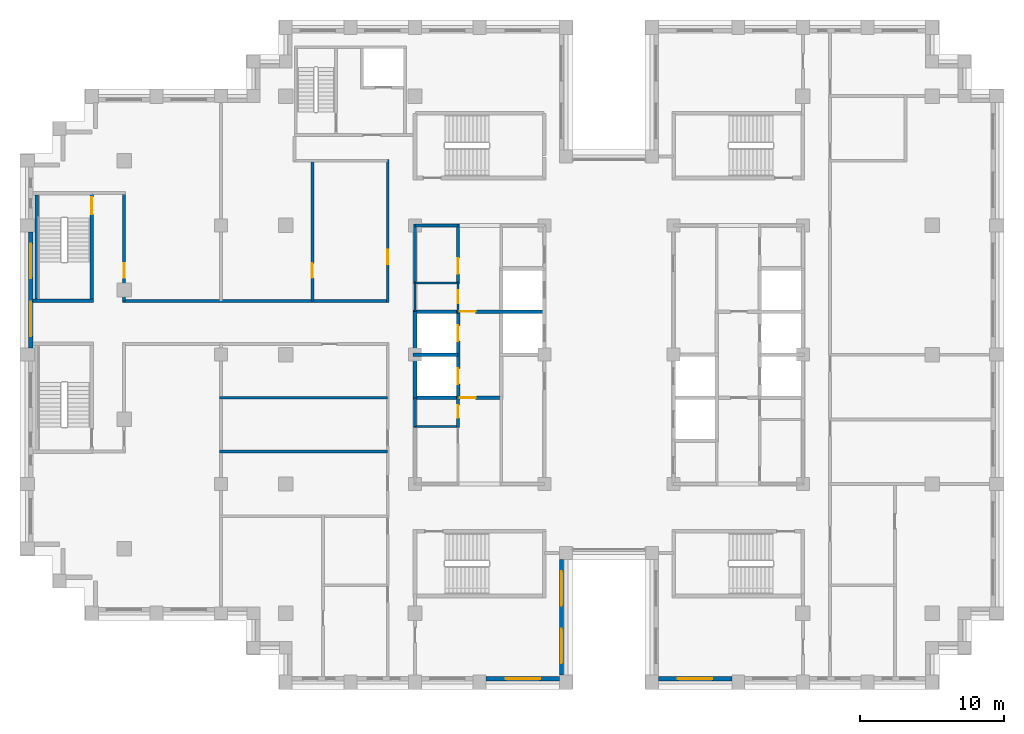
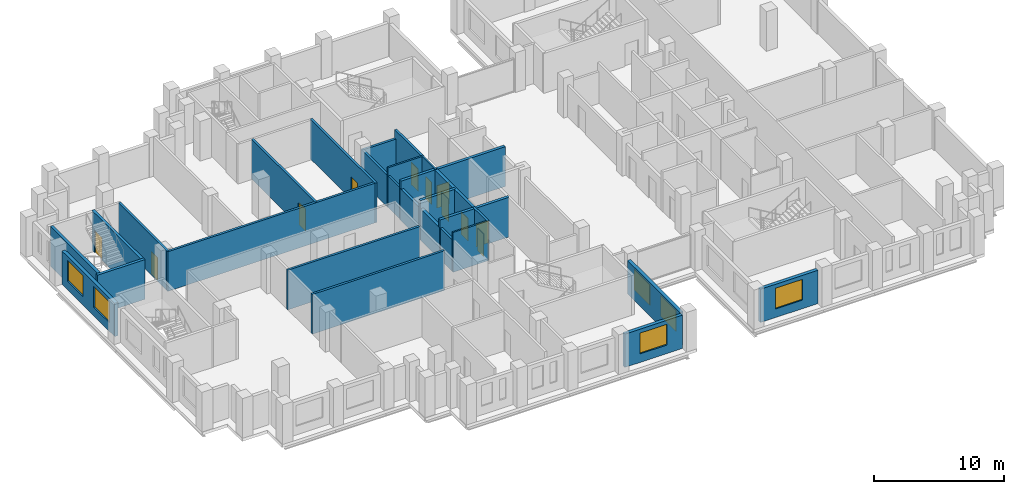
# One storey, part 7 of 15: 27 walls, 11 doors, 6 windows, 17 openings.
"""IFC4 building model written with IfcOpenShell, lengths in metres."""

from ifc_helpers import new_model, si_unit, direction, frame, frame_2d, origin, place, context, subcontext, project, spatial, rectangle, extrude, material, layer, layer_set, type_object, element, fill, save


model = new_model("IFC4")

# Units and contexts
model_context = context("Model", 3, precision=1e-05, world=origin(), true_north=direction((0.0, 1.0)))
body_context = subcontext(model_context, "Body", "Model", "MODEL_VIEW")
ifc_project = project(units=[si_unit("LENGTHUNIT", "METRE"), si_unit("AREAUNIT", "SQUARE_METRE"), si_unit("VOLUMEUNIT", "CUBIC_METRE"), si_unit("PLANEANGLEUNIT", "RADIAN"), si_unit("MASSUNIT", "GRAM", prefix="KILO")], contexts=[model_context])

# Site, building, storey
site_placement = place(None, origin())
site = spatial("IfcSite", under=ifc_project, at=site_placement, CompositionType="ELEMENT")
building_placement = place(site_placement, origin())
building = spatial("IfcBuilding", under=site, at=building_placement, Name="Corbelhall Arena Tower", CompositionType="ELEMENT")
storey_placement = place(building_placement, frame((0.0, 0.0, 216.0)))
storey = spatial("IfcBuildingStorey", under=building, at=storey_placement, Name="L45", CompositionType="ELEMENT", Elevation=216.0)

# Wall, openings, windows
ifc_material_1 = material(Name="Precast concrete C40/50 with granite facing", Category="masonry")
ifc_layer_1 = layer(ifc_material_1, 0.300048828125)
ifc_layer_set_1 = layer_set([ifc_layer_1], Name="EV-IW1 Infill panel 300")
wall_type_1 = type_object("IfcWallType", Name="EV-IW1 Infill panel 300", PredefinedType="SOLIDWALL", material=ifc_layer_set_1)
wall_1_placement = place(storey_placement, frame((-40.25, 8.550048828125, 0.0), z_axis=(0.0, 0.0, 1.0), x_axis=(0.0, -1.0, 0.0)))
wall_1 = element("IfcWall", 1, at=wall_1_placement, inside=storey, type_object=wall_type_1, Name="Infill panel IW1", PredefinedType="SOLIDWALL", context=body_context, shape_type="SweptSolid", body=[
    extrude(rectangle(XDim=8.10009765625, YDim=0.300048828125, at=frame_2d((4.050048828125, 0.0))), origin(), (0.0, 0.0, 1.0), 3.1201171875),
])
opening_1_placement = place(wall_1_placement, frame((0.824951171875, 0.0, 0.800048828125)))
opening_1 = element("IfcOpeningElement", 2, at=opening_1_placement, cuts=wall_1, Name="Opening WN1", PredefinedType="OPENING", context=body_context, shape_type="SweptSolid", body=[
    extrude(rectangle(XDim=2.39990234375, YDim=1.949951171875, at=frame_2d((1.199951171875, 0.97509765625))), frame((0.0, 0.14990234375, 0.0), z_axis=(0.0, -1.0, 0.0), x_axis=(1.0, 0.0, 0.0)), (0.0, 0.0, 1.0), 0.300048828125),
])
opening_2_placement = place(wall_1_placement, frame((4.875, 0.0, 0.800048828125)))
opening_2 = element("IfcOpeningElement", 3, at=opening_2_placement, cuts=wall_1, Name="Opening WN1", PredefinedType="OPENING", context=body_context, shape_type="SweptSolid", body=[
    extrude(rectangle(XDim=2.39990234375, YDim=1.949951171875, at=frame_2d((1.199951171875, 0.97509765625))), frame((0.0, 0.14990234375, 0.0), z_axis=(0.0, -1.0, 0.0), x_axis=(1.0, 0.0, 0.0)), (0.0, 0.0, 1.0), 0.300048828125),
])
ifc_material_2 = material(Name="Aluminium black anodised", Category="aluminium")
window_type = type_object("IfcWindowType", Name="EV-WN1 Office window", PartitioningType="SINGLE_PANEL", PredefinedType="WINDOW", material=ifc_material_2)
window_1_placement = place(opening_1_placement, origin())
window_1 = element("IfcWindow", 4, at=window_1_placement, inside=storey, type_object=window_type, Name="Window WN1", OverallHeight=1.949951171875, OverallWidth=2.39990234375, PartitioningType="SINGLE_PANEL", PredefinedType="WINDOW", context=body_context, shape_type="SweptSolid", body=[
    extrude(rectangle(XDim=2.39990234375, YDim=1.949951171875, at=frame_2d((1.199951171875, 0.97509765625))), frame((0.0, 0.030029296875, 0.0), z_axis=(0.0, -1.0, 0.0), x_axis=(1.0, 0.0, 0.0)), (0.0, 0.0, 1.0), 0.06005859375),
])
fill(opening_1, window_1)
window_2_placement = place(opening_2_placement, origin())
window_2 = element("IfcWindow", 5, at=window_2_placement, inside=storey, type_object=window_type, Name="Window WN1", OverallHeight=1.949951171875, OverallWidth=2.39990234375, PartitioningType="SINGLE_PANEL", PredefinedType="WINDOW", context=body_context, shape_type="SweptSolid", body=[
    extrude(rectangle(XDim=2.39990234375, YDim=1.949951171875, at=frame_2d((1.199951171875, 0.97509765625))), frame((0.0, 0.030029296875, 0.0), z_axis=(0.0, -1.0, 0.0), x_axis=(1.0, 0.0, 0.0)), (0.0, 0.0, 1.0), 0.06005859375),
])
fill(opening_2, window_2)

# Wall, opening, window
wall_2_placement = place(storey_placement, frame((-8.550048828125, -22.550048828125, 0.0), z_axis=(0.0, 0.0, 1.0), x_axis=(1.0, 0.0, 0.0)))
wall_2 = element("IfcWall", 6, at=wall_2_placement, inside=storey, type_object=wall_type_1, Name="Infill panel IW1", PredefinedType="SOLIDWALL", context=body_context, shape_type="SweptSolid", body=[
    extrude(rectangle(XDim=5.10009765625, YDim=0.300048828125, at=frame_2d((2.550048828125, 0.0))), origin(), (0.0, 0.0, 1.0), 3.1201171875),
])
opening_3_placement = place(wall_2_placement, frame((1.35009765625, 0.0, 0.800048828125)))
opening_3 = element("IfcOpeningElement", 7, at=opening_3_placement, cuts=wall_2, Name="Opening WN1", PredefinedType="OPENING", context=body_context, shape_type="SweptSolid", body=[
    extrude(rectangle(XDim=2.39990234375, YDim=1.949951171875, at=frame_2d((1.199951171875, 0.97509765625))), frame((0.0, 0.14990234375, 0.0), z_axis=(0.0, -1.0, 0.0), x_axis=(1.0, 0.0, 0.0)), (0.0, 0.0, 1.0), 0.300048828125),
])
window_3_placement = place(opening_3_placement, origin())
window_3 = element("IfcWindow", 8, at=window_3_placement, inside=storey, type_object=window_type, Name="Window WN1", OverallHeight=1.949951171875, OverallWidth=2.39990234375, PartitioningType="SINGLE_PANEL", PredefinedType="WINDOW", context=body_context, shape_type="SweptSolid", body=[
    extrude(rectangle(XDim=2.39990234375, YDim=1.949951171875, at=frame_2d((1.199951171875, 0.97509765625))), frame((0.0, 0.030029296875, 0.0), z_axis=(0.0, -1.0, 0.0), x_axis=(1.0, 0.0, 0.0)), (0.0, 0.0, 1.0), 0.06005859375),
])
fill(opening_3, window_3)

# Wall, openings, windows
wall_3_placement = place(storey_placement, frame((-3.300048828125, -22.300048828125, 0.0), z_axis=(0.0, 0.0, 1.0), x_axis=(0.0, 1.0, 0.0)))
wall_3 = element("IfcWall", 9, at=wall_3_placement, inside=storey, type_object=wall_type_1, Name="Infill panel IW1", PredefinedType="SOLIDWALL", context=body_context, shape_type="SweptSolid", body=[
    extrude(rectangle(XDim=8.050048828125, YDim=0.300048828125, at=frame_2d((4.02490234375, 0.0))), origin(), (0.0, 0.0, 1.0), 3.1201171875),
])
opening_4_placement = place(wall_3_placement, frame((0.8125, 0.0, 0.800048828125)))
opening_4 = element("IfcOpeningElement", 10, at=opening_4_placement, cuts=wall_3, Name="Opening WN1", PredefinedType="OPENING", context=body_context, shape_type="SweptSolid", body=[
    extrude(rectangle(XDim=2.39990234375, YDim=1.949951171875, at=frame_2d((1.199951171875, 0.97509765625))), frame((0.0, 0.14990234375, 0.0), z_axis=(0.0, -1.0, 0.0), x_axis=(1.0, 0.0, 0.0)), (0.0, 0.0, 1.0), 0.300048828125),
])
opening_5_placement = place(wall_3_placement, frame((4.83740234375, 0.0, 0.800048828125)))
opening_5 = element("IfcOpeningElement", 11, at=opening_5_placement, cuts=wall_3, Name="Opening WN1", PredefinedType="OPENING", context=body_context, shape_type="SweptSolid", body=[
    extrude(rectangle(XDim=2.39990234375, YDim=1.949951171875, at=frame_2d((1.199951171875, 0.97509765625))), frame((0.0, 0.14990234375, 0.0), z_axis=(0.0, -1.0, 0.0), x_axis=(1.0, 0.0, 0.0)), (0.0, 0.0, 1.0), 0.300048828125),
])
window_4_placement = place(opening_4_placement, origin())
window_4 = element("IfcWindow", 12, at=window_4_placement, inside=storey, type_object=window_type, Name="Window WN1", OverallHeight=1.949951171875, OverallWidth=2.39990234375, PartitioningType="SINGLE_PANEL", PredefinedType="WINDOW", context=body_context, shape_type="SweptSolid", body=[
    extrude(rectangle(XDim=2.39990234375, YDim=1.949951171875, at=frame_2d((1.199951171875, 0.97509765625))), frame((0.0, 0.030029296875, 0.0), z_axis=(0.0, -1.0, 0.0), x_axis=(1.0, 0.0, 0.0)), (0.0, 0.0, 1.0), 0.06005859375),
])
fill(opening_4, window_4)
window_5_placement = place(opening_5_placement, origin())
window_5 = element("IfcWindow", 13, at=window_5_placement, inside=storey, type_object=window_type, Name="Window WN1", OverallHeight=1.949951171875, OverallWidth=2.39990234375, PartitioningType="SINGLE_PANEL", PredefinedType="WINDOW", context=body_context, shape_type="SweptSolid", body=[
    extrude(rectangle(XDim=2.39990234375, YDim=1.949951171875, at=frame_2d((1.199951171875, 0.97509765625))), frame((0.0, 0.030029296875, 0.0), z_axis=(0.0, -1.0, 0.0), x_axis=(1.0, 0.0, 0.0)), (0.0, 0.0, 1.0), 0.06005859375),
])
fill(opening_5, window_5)

# Wall, opening, window
wall_4_placement = place(storey_placement, frame((3.449951171875, -22.550048828125, 0.0), z_axis=(0.0, 0.0, 1.0), x_axis=(1.0, 0.0, 0.0)))
wall_4 = element("IfcWall", 14, at=wall_4_placement, inside=storey, type_object=wall_type_1, Name="Infill panel IW1", PredefinedType="SOLIDWALL", context=body_context, shape_type="SweptSolid", body=[
    extrude(rectangle(XDim=5.10009765625, YDim=0.300048828125, at=frame_2d((2.550048828125, 0.0))), origin(), (0.0, 0.0, 1.0), 3.1201171875),
])
opening_6_placement = place(wall_4_placement, frame((1.35009765625, 0.0, 0.800048828125)))
opening_6 = element("IfcOpeningElement", 15, at=opening_6_placement, cuts=wall_4, Name="Opening WN1", PredefinedType="OPENING", context=body_context, shape_type="SweptSolid", body=[
    extrude(rectangle(XDim=2.39990234375, YDim=1.949951171875, at=frame_2d((1.199951171875, 0.97509765625))), frame((0.0, 0.14990234375, 0.0), z_axis=(0.0, -1.0, 0.0), x_axis=(1.0, 0.0, 0.0)), (0.0, 0.0, 1.0), 0.300048828125),
])
window_6_placement = place(opening_6_placement, origin())
window_6 = element("IfcWindow", 16, at=window_6_placement, inside=storey, type_object=window_type, Name="Window WN1", OverallHeight=1.949951171875, OverallWidth=2.39990234375, PartitioningType="SINGLE_PANEL", PredefinedType="WINDOW", context=body_context, shape_type="SweptSolid", body=[
    extrude(rectangle(XDim=2.39990234375, YDim=1.949951171875, at=frame_2d((1.199951171875, 0.97509765625))), frame((0.0, 0.030029296875, 0.0), z_axis=(0.0, -1.0, 0.0), x_axis=(1.0, 0.0, 0.0)), (0.0, 0.0, 1.0), 0.06005859375),
])
fill(opening_6, window_6)

# Wall
ifc_material_3 = material(Name="Gypsum board on steel stud, acoustic", Category="steel")
ifc_layer_2 = layer(ifc_material_3, 0.199951171875)
ifc_layer_set_2 = layer_set([ifc_layer_2], Name="IN-W-DM200")
wall_type_2 = type_object("IfcWallType", Name="IN-W-DM200", PredefinedType="PARTITIONING", material=ifc_layer_set_2)
wall_5_placement = place(storey_placement, frame((-33.85009765625, 3.75, 0.0), z_axis=(0.0, 0.0, 1.0), x_axis=(1.0, 0.0, 0.0)))
element("IfcWall", 17, at=wall_5_placement, inside=storey, type_object=wall_type_2, Name="Partition 002", PredefinedType="PARTITIONING", context=body_context, shape_type="SweptSolid", body=[
    extrude(rectangle(XDim=18.4501953125, YDim=0.199951171875, at=frame_2d((9.22509765625, 0.0))), origin(), (0.0, 0.0, 1.0), 3.719970703125),
])

# Wall, opening, door
wall_6_placement = place(storey_placement, frame((-33.75, 11.25, 0.0), z_axis=(0.0, 0.0, 1.0), x_axis=(0.0, -1.0, 0.0)))
wall_6 = element("IfcWall", 18, at=wall_6_placement, inside=storey, type_object=wall_type_2, Name="Partition 005", PredefinedType="PARTITIONING", context=body_context, shape_type="SweptSolid", body=[
    extrude(rectangle(XDim=7.5, YDim=0.199951171875, at=frame_2d((3.75, 0.0))), origin(), (0.0, 0.0, 1.0), 3.719970703125),
])
opening_7_placement = place(wall_6_placement, frame((4.89990234375, 0.0, 0.0)))
opening_7 = element("IfcOpeningElement", 19, at=opening_7_placement, cuts=wall_6, Name="Opening 13040", PredefinedType="OPENING", context=body_context, shape_type="SweptSolid", body=[
    extrude(rectangle(XDim=1.0, YDim=2.10009765625, at=frame_2d((0.5, 1.050048828125))), frame((0.0, 0.10009765625, 0.0), z_axis=(0.0, -1.0, 0.0), x_axis=(1.0, 0.0, 0.0)), (0.0, 0.0, 1.0), 0.199951171875),
])
ifc_material_4 = material(Name="Steel door set", Category="steel")
door_type_1 = type_object("IfcDoorType", Name="IN-D-SW100", OperationType="NOTDEFINED", PredefinedType="DOOR", material=ifc_material_4)
door_1_placement = place(opening_7_placement, origin())
door_1 = element("IfcDoor", 20, at=door_1_placement, inside=storey, type_object=door_type_1, Name="Door 040", OperationType="SINGLE_SWING_LEFT", OverallHeight=2.10009765625, OverallWidth=1.0, PredefinedType="DOOR", context=body_context, shape_type="SweptSolid", body=[
    extrude(rectangle(XDim=1.0, YDim=2.10009765625, at=frame_2d((0.5, 1.050048828125))), frame((0.0, 0.02490234375, 0.0), z_axis=(0.0, -1.0, 0.0), x_axis=(1.0, 0.0, 0.0)), (0.0, 0.0, 1.0), 0.050048828125),
])
fill(opening_7, door_1)

# Walls
for number, where, z_axis, x_axis, name in (
    (21, (-27.10009765625, -6.75, 0.0), (0.0, 0.0, 1.0), (1.0, 0.0, 0.0), "Partition 007"),
    (22, (-27.10009765625, -3.0, 0.0), (0.0, 0.0, 1.0), (1.0, 0.0, 0.0), "Partition 008"),
):
    element("IfcWall", number, at=place(storey_placement, frame(where, z_axis=z_axis, x_axis=x_axis)), inside=storey, type_object=wall_type_2, Name=name, PredefinedType="PARTITIONING", context=body_context, shape_type="SweptSolid", body=[
        extrude(rectangle(XDim=11.7001953125, YDim=0.199951171875, at=frame_2d((5.85009765625, 0.0))), origin(), (0.0, 0.0, 1.0), 3.719970703125),
    ])

# Wall, opening, door
wall_7_placement = place(storey_placement, frame((-20.64990234375, 3.75, 0.0), z_axis=(0.0, 0.0, 1.0), x_axis=(0.0, 1.0, 0.0)))
wall_7 = element("IfcWall", 23, at=wall_7_placement, inside=storey, type_object=wall_type_2, Name="Partition 013", PredefinedType="PARTITIONING", context=body_context, shape_type="SweptSolid", body=[
    extrude(rectangle(XDim=9.75, YDim=0.199951171875, at=frame_2d((4.875, 0.0))), origin(), (0.0, 0.0, 1.0), 3.719970703125),
])
opening_8_placement = place(wall_7_placement, frame((1.60009765625, 0.0, 0.0)))
opening_8 = element("IfcOpeningElement", 24, at=opening_8_placement, cuts=wall_7, Name="Opening 13025", PredefinedType="OPENING", context=body_context, shape_type="SweptSolid", body=[
    extrude(rectangle(XDim=1.0, YDim=2.10009765625, at=frame_2d((0.5, 1.050048828125))), frame((0.0, 0.10009765625, 0.0), z_axis=(0.0, -1.0, 0.0), x_axis=(1.0, 0.0, 0.0)), (0.0, 0.0, 1.0), 0.199951171875),
])
door_2_placement = place(opening_8_placement, origin())
door_2 = element("IfcDoor", 25, at=door_2_placement, inside=storey, type_object=door_type_1, Name="Door 025", OperationType="SINGLE_SWING_RIGHT", OverallHeight=2.10009765625, OverallWidth=1.0, PredefinedType="DOOR", context=body_context, shape_type="SweptSolid", body=[
    extrude(rectangle(XDim=1.0, YDim=2.10009765625, at=frame_2d((0.5, 1.050048828125))), frame((0.0, 0.02490234375, 0.0), z_axis=(0.0, -1.0, 0.0), x_axis=(1.0, 0.0, 0.0)), (0.0, 0.0, 1.0), 0.050048828125),
])
fill(opening_8, door_2)

wall_8_placement = place(storey_placement, frame((-15.39990234375, 3.64990234375, 0.0), z_axis=(0.0, 0.0, 1.0), x_axis=(0.0, 1.0, 0.0)))
wall_8 = element("IfcWall", 26, at=wall_8_placement, inside=storey, type_object=wall_type_2, Name="Partition 018", PredefinedType="PARTITIONING", context=body_context, shape_type="SweptSolid", body=[
    extrude(rectangle(XDim=9.9501953125, YDim=0.199951171875, at=frame_2d((4.97509765625, 0.0))), origin(), (0.0, 0.0, 1.0), 3.719970703125),
])
opening_9_placement = place(wall_8_placement, frame((2.64990234375, 0.0, 0.0)))
opening_9 = element("IfcOpeningElement", 27, at=opening_9_placement, cuts=wall_8, Name="Opening 13024", PredefinedType="OPENING", context=body_context, shape_type="SweptSolid", body=[
    extrude(rectangle(XDim=1.0, YDim=2.10009765625, at=frame_2d((0.5, 1.050048828125))), frame((0.0, 0.10009765625, 0.0), z_axis=(0.0, -1.0, 0.0), x_axis=(1.0, 0.0, 0.0)), (0.0, 0.0, 1.0), 0.199951171875),
])
door_3_placement = place(opening_9_placement, origin())
door_3 = element("IfcDoor", 28, at=door_3_placement, inside=storey, type_object=door_type_1, Name="Door 024", OperationType="SINGLE_SWING_LEFT", OverallHeight=2.10009765625, OverallWidth=1.0, PredefinedType="DOOR", context=body_context, shape_type="SweptSolid", body=[
    extrude(rectangle(XDim=1.0, YDim=2.10009765625, at=frame_2d((0.5, 1.050048828125))), frame((0.0, 0.02490234375, 0.0), z_axis=(0.0, -1.0, 0.0), x_axis=(1.0, 0.0, 0.0)), (0.0, 0.0, 1.0), 0.050048828125),
])
fill(opening_9, door_3)

ifc_material_5 = material(Name="Concrete block wall", Category="concrete")
ifc_layer_3 = layer(ifc_material_5, 0.199951171875)
ifc_layer_set_3 = layer_set([ifc_layer_3], Name="IN-W-RS200")
wall_type_3 = type_object("IfcWallType", Name="IN-W-RS200", PredefinedType="SOLIDWALL", material=ifc_layer_set_3)
wall_9_placement = place(storey_placement, frame((-10.5, -5.074951171875, 0.0), z_axis=(0.0, 0.0, 1.0), x_axis=(0.0, 1.0, 0.0)))
wall_9 = element("IfcWall", 29, at=wall_9_placement, inside=storey, type_object=wall_type_3, Name="Partition 037", PredefinedType="SOLIDWALL", context=body_context, shape_type="SweptSolid", body=[
    extrude(rectangle(XDim=2.199951171875, YDim=0.199951171875, at=frame_2d((1.10009765625, 0.0))), origin(), (0.0, 0.0, 1.0), 3.719970703125),
])
opening_10_placement = place(wall_9_placement, frame((0.669921875, 0.0, 0.0)))
opening_10 = element("IfcOpeningElement", 30, at=opening_10_placement, cuts=wall_9, Name="Opening 13042", PredefinedType="OPENING", context=body_context, shape_type="SweptSolid", body=[
    extrude(rectangle(XDim=0.89990234375, YDim=2.10009765625, at=frame_2d((0.449951171875, 1.050048828125))), frame((0.0, 0.10009765625, 0.0), z_axis=(0.0, -1.0, 0.0), x_axis=(1.0, 0.0, 0.0)), (0.0, 0.0, 1.0), 0.199951171875),
])
ifc_material_6 = material(Name="Timber door set", Category="wood")
door_type_2 = type_object("IfcDoorType", Name="IN-D-SW90", OperationType="NOTDEFINED", PredefinedType="DOOR", material=ifc_material_6)
door_4_placement = place(opening_10_placement, origin())
door_4 = element("IfcDoor", 31, at=door_4_placement, inside=storey, type_object=door_type_2, Name="Door 042", OperationType="SINGLE_SWING_LEFT", OverallHeight=2.10009765625, OverallWidth=0.89990234375, PredefinedType="DOOR", context=body_context, shape_type="SweptSolid", body=[
    extrude(rectangle(XDim=0.89990234375, YDim=2.10009765625, at=frame_2d((0.449951171875, 1.050048828125))), frame((0.0, 0.02490234375, 0.0), z_axis=(0.0, -1.0, 0.0), x_axis=(1.0, 0.0, 0.0)), (0.0, 0.0, 1.0), 0.050048828125),
])
fill(opening_10, door_4)

wall_10_placement = place(storey_placement, frame((-10.5, 4.925048828125, 0.0), z_axis=(0.0, 0.0, 1.0), x_axis=(0.0, 1.0, 0.0)))
wall_10 = element("IfcWall", 32, at=wall_10_placement, inside=storey, type_object=wall_type_3, Name="Partition 038", PredefinedType="SOLIDWALL", context=body_context, shape_type="SweptSolid", body=[
    extrude(rectangle(XDim=4.175048828125, YDim=0.199951171875, at=frame_2d((2.08740234375, 0.0))), origin(), (0.0, 0.0, 1.0), 3.719970703125),
])
opening_11_placement = place(wall_10_placement, frame((0.699951171875, 0.0, 0.0)))
opening_11 = element("IfcOpeningElement", 33, at=opening_11_placement, cuts=wall_10, Name="Opening 13007", PredefinedType="OPENING", context=body_context, shape_type="SweptSolid", body=[
    extrude(rectangle(XDim=1.10009765625, YDim=2.10009765625, at=frame_2d((0.550048828125, 1.050048828125))), frame((0.0, 0.10009765625, 0.0), z_axis=(0.0, -1.0, 0.0), x_axis=(1.0, 0.0, 0.0)), (0.0, 0.0, 1.0), 0.199951171875),
])
door_type_3 = type_object("IfcDoorType", Name="IN-D-FD110", OperationType="NOTDEFINED", PredefinedType="DOOR", material=ifc_material_4)
door_5_placement = place(opening_11_placement, origin())
door_5 = element("IfcDoor", 34, at=door_5_placement, inside=storey, type_object=door_type_3, Name="Door 007", OperationType="SINGLE_SWING_RIGHT", OverallHeight=2.10009765625, OverallWidth=1.10009765625, PredefinedType="DOOR", context=body_context, shape_type="SweptSolid", body=[
    extrude(rectangle(XDim=1.10009765625, YDim=2.10009765625, at=frame_2d((0.550048828125, 1.050048828125))), frame((0.0, 0.02490234375, 0.0), z_axis=(0.0, -1.0, 0.0), x_axis=(1.0, 0.0, 0.0)), (0.0, 0.0, 1.0), 0.050048828125),
])
fill(opening_11, door_5)

# Walls
ifc_layer_4 = layer(ifc_material_5, 0.199951171875)
ifc_layer_set_4 = layer_set([ifc_layer_4], Name="IN-W-RS200 under beam 762 mm")
wall_type_4 = type_object("IfcWallType", Name="IN-W-RS200 under beam 762 mm", PredefinedType="SOLIDWALL", material=ifc_layer_set_4)
wall_11_placement = place(storey_placement, frame((-13.5, -5.0, 0.0), z_axis=(0.0, 0.0, 1.0), x_axis=(0.0, 1.0, 0.0)))
element("IfcWall", 35, at=wall_11_placement, inside=storey, type_object=wall_type_4, Name="Partition 034", PredefinedType="SOLIDWALL", context=body_context, shape_type="SweptSolid", body=[
    extrude(rectangle(XDim=2.0, YDim=0.199951171875, at=frame_2d((1.0, 0.0))), origin(), (0.0, 0.0, 1.0), 2.9580078125),
])
wall_12_placement = place(storey_placement, frame((-13.5, 5.0, 0.0), z_axis=(0.0, 0.0, 1.0), x_axis=(0.0, 1.0, 0.0)))
element("IfcWall", 36, at=wall_12_placement, inside=storey, type_object=wall_type_4, Name="Partition 035", PredefinedType="SOLIDWALL", context=body_context, shape_type="SweptSolid", body=[
    extrude(rectangle(XDim=4.10009765625, YDim=0.199951171875, at=frame_2d((2.050048828125, 0.0))), origin(), (0.0, 0.0, 1.0), 2.9580078125),
])
wall_13_placement = place(storey_placement, frame((-13.5, 9.0, 0.0), z_axis=(0.0, 0.0, 1.0), x_axis=(1.0, 0.0, 0.0)))
element("IfcWall", 37, at=wall_13_placement, inside=storey, type_object=wall_type_4, Name="Partition 036", PredefinedType="SOLIDWALL", context=body_context, shape_type="SweptSolid", body=[
    extrude(rectangle(XDim=3.0, YDim=0.199951171875, at=frame_2d((1.5, 0.0))), origin(), (0.0, 0.0, 1.0), 2.9580078125),
])
ifc_material_7 = material(Name="Concrete C40/50", Category="concrete")
ifc_layer_5 = layer(ifc_material_7, 0.25)
ifc_layer_set_5 = layer_set([ifc_layer_5], Name="IN-W-SH250")
wall_type_5 = type_object("IfcWallType", Name="IN-W-SH250", PredefinedType="SOLIDWALL", material=ifc_layer_set_5)
wall_14_placement = place(storey_placement, frame((-13.625, 0.0, 0.0), z_axis=(0.0, 0.0, 1.0), x_axis=(1.0, 0.0, 0.0)))
element("IfcWall", 38, at=wall_14_placement, inside=storey, type_object=wall_type_5, Name="Shaft wall 056", PredefinedType="SOLIDWALL", context=body_context, shape_type="SweptSolid", body=[
    extrude(rectangle(XDim=3.125, YDim=0.25, at=frame_2d((1.5625, 0.0))), origin(), (0.0, 0.0, 1.0), 3.719970703125),
])

# Wall, opening, door
wall_15_placement = place(storey_placement, frame((-13.625, 3.0, 0.0), z_axis=(0.0, 0.0, 1.0), x_axis=(1.0, 0.0, 0.0)))
wall_15 = element("IfcWall", 39, at=wall_15_placement, inside=storey, type_object=wall_type_5, Name="Shaft wall 057", PredefinedType="SOLIDWALL", context=body_context, shape_type="SweptSolid", body=[
    extrude(rectangle(XDim=9.25, YDim=0.25, at=frame_2d((4.625, 0.0))), origin(), (0.0, 0.0, 1.0), 3.719970703125),
])
opening_12_placement = place(wall_15_placement, frame((3.25, 0.0, 0.0)))
opening_12 = element("IfcOpeningElement", 40, at=opening_12_placement, cuts=wall_15, Name="Opening 13004", PredefinedType="OPENING", context=body_context, shape_type="SweptSolid", body=[
    extrude(rectangle(XDim=1.10009765625, YDim=2.10009765625, at=frame_2d((0.550048828125, 1.050048828125))), frame((0.0, 0.125, 0.0), z_axis=(0.0, -1.0, 0.0), x_axis=(1.0, 0.0, 0.0)), (0.0, 0.0, 1.0), 0.25),
])
door_6_placement = place(opening_12_placement, origin())
door_6 = element("IfcDoor", 41, at=door_6_placement, inside=storey, type_object=door_type_3, Name="Door 004", OperationType="SINGLE_SWING_LEFT", OverallHeight=2.10009765625, OverallWidth=1.10009765625, PredefinedType="DOOR", context=body_context, shape_type="SweptSolid", body=[
    extrude(rectangle(XDim=1.10009765625, YDim=2.10009765625, at=frame_2d((0.550048828125, 1.050048828125))), frame((0.0, 0.02490234375, 0.0), z_axis=(0.0, -1.0, 0.0), x_axis=(1.0, 0.0, 0.0)), (0.0, 0.0, 1.0), 0.050048828125),
])
fill(opening_12, door_6)

wall_16_placement = place(storey_placement, frame((-13.625, -3.0, 0.0), z_axis=(0.0, 0.0, 1.0), x_axis=(1.0, 0.0, 0.0)))
wall_16 = element("IfcWall", 42, at=wall_16_placement, inside=storey, type_object=wall_type_5, Name="Shaft wall 059", PredefinedType="SOLIDWALL", context=body_context, shape_type="SweptSolid", body=[
    extrude(rectangle(XDim=6.125, YDim=0.25, at=frame_2d((3.0625, 0.0))), origin(), (0.0, 0.0, 1.0), 3.719970703125),
])
opening_13_placement = place(wall_16_placement, frame((3.25, 0.0, 0.0)))
opening_13 = element("IfcOpeningElement", 43, at=opening_13_placement, cuts=wall_16, Name="Opening 13003", PredefinedType="OPENING", context=body_context, shape_type="SweptSolid", body=[
    extrude(rectangle(XDim=1.10009765625, YDim=2.10009765625, at=frame_2d((0.550048828125, 1.050048828125))), frame((0.0, 0.125, 0.0), z_axis=(0.0, -1.0, 0.0), x_axis=(1.0, 0.0, 0.0)), (0.0, 0.0, 1.0), 0.25),
])
door_7_placement = place(opening_13_placement, origin())
door_7 = element("IfcDoor", 44, at=door_7_placement, inside=storey, type_object=door_type_3, Name="Door 003", OperationType="SINGLE_SWING_RIGHT", OverallHeight=2.10009765625, OverallWidth=1.10009765625, PredefinedType="DOOR", context=body_context, shape_type="SweptSolid", body=[
    extrude(rectangle(XDim=1.10009765625, YDim=2.10009765625, at=frame_2d((0.550048828125, 1.050048828125))), frame((0.0, 0.02490234375, 0.0), z_axis=(0.0, -1.0, 0.0), x_axis=(1.0, 0.0, 0.0)), (0.0, 0.0, 1.0), 0.050048828125),
])
fill(opening_13, door_7)

# Wall, openings, doors
wall_17_placement = place(storey_placement, frame((-10.5, -3.125, 0.0), z_axis=(0.0, 0.0, 1.0), x_axis=(0.0, 1.0, 0.0)))
wall_17 = element("IfcWall", 45, at=wall_17_placement, inside=storey, type_object=wall_type_5, Name="Shaft wall 060", PredefinedType="SOLIDWALL", context=body_context, shape_type="SweptSolid", body=[
    extrude(rectangle(XDim=6.25, YDim=0.25, at=frame_2d((3.125, 0.0))), origin(), (0.0, 0.0, 1.0), 3.719970703125),
])
opening_14_placement = place(wall_17_placement, frame((1.074951171875, 0.0, 0.0)))
opening_14 = element("IfcOpeningElement", 46, at=opening_14_placement, cuts=wall_17, Name="Opening LD", PredefinedType="OPENING", context=body_context, shape_type="SweptSolid", body=[
    extrude(rectangle(XDim=1.10009765625, YDim=2.10009765625, at=frame_2d((0.550048828125, 1.050048828125))), frame((0.0, 0.125, 0.0), z_axis=(0.0, -1.0, 0.0), x_axis=(1.0, 0.0, 0.0)), (0.0, 0.0, 1.0), 0.25),
])
opening_15_placement = place(wall_17_placement, frame((4.074951171875, 0.0, 0.0)))
opening_15 = element("IfcOpeningElement", 47, at=opening_15_placement, cuts=wall_17, Name="Opening LD", PredefinedType="OPENING", context=body_context, shape_type="SweptSolid", body=[
    extrude(rectangle(XDim=1.10009765625, YDim=2.10009765625, at=frame_2d((0.550048828125, 1.050048828125))), frame((0.0, 0.125, 0.0), z_axis=(0.0, -1.0, 0.0), x_axis=(1.0, 0.0, 0.0)), (0.0, 0.0, 1.0), 0.25),
])
door_type_4 = type_object("IfcDoorType", Name="IN-D-LD110", OperationType="NOTDEFINED", PredefinedType="DOOR", material=ifc_material_4)
door_8_placement = place(opening_14_placement, origin())
door_8 = element("IfcDoor", 48, at=door_8_placement, inside=storey, type_object=door_type_4, Name="Landing door W3", OperationType="SLIDING_TO_LEFT", OverallHeight=2.10009765625, OverallWidth=1.10009765625, PredefinedType="DOOR", context=body_context, shape_type="SweptSolid", body=[
    extrude(rectangle(XDim=1.10009765625, YDim=2.10009765625, at=frame_2d((0.550048828125, 1.050048828125))), frame((0.0, 0.02490234375, 0.0), z_axis=(0.0, -1.0, 0.0), x_axis=(1.0, 0.0, 0.0)), (0.0, 0.0, 1.0), 0.050048828125),
])
fill(opening_14, door_8)
door_9_placement = place(opening_15_placement, origin())
door_9 = element("IfcDoor", 49, at=door_9_placement, inside=storey, type_object=door_type_4, Name="Landing door W4", OperationType="SLIDING_TO_LEFT", OverallHeight=2.10009765625, OverallWidth=1.10009765625, PredefinedType="DOOR", context=body_context, shape_type="SweptSolid", body=[
    extrude(rectangle(XDim=1.10009765625, YDim=2.10009765625, at=frame_2d((0.550048828125, 1.050048828125))), frame((0.0, 0.02490234375, 0.0), z_axis=(0.0, -1.0, 0.0), x_axis=(1.0, 0.0, 0.0)), (0.0, 0.0, 1.0), 0.050048828125),
])
fill(opening_15, door_9)

# Walls
ifc_layer_6 = layer(ifc_material_7, 0.25)
ifc_layer_set_6 = layer_set([ifc_layer_6], Name="IN-W-SH250 under beam 762 mm")
wall_type_6 = type_object("IfcWallType", Name="IN-W-SH250 under beam 762 mm", PredefinedType="SOLIDWALL", material=ifc_layer_set_6)
wall_18_placement = place(storey_placement, frame((-13.5, -3.0, 0.0), z_axis=(0.0, 0.0, 1.0), x_axis=(0.0, 1.0, 0.0)))
element("IfcWall", 50, at=wall_18_placement, inside=storey, type_object=wall_type_6, Name="Shaft wall 058", PredefinedType="SOLIDWALL", context=body_context, shape_type="SweptSolid", body=[
    extrude(rectangle(XDim=6.0, YDim=0.25, at=frame_2d((3.0, 0.0))), origin(), (0.0, 0.0, 1.0), 2.9580078125),
])
ifc_layer_7 = layer(ifc_material_7, 0.25)
ifc_layer_set_7 = layer_set([ifc_layer_7], Name="IN-W-ST250")
wall_type_7 = type_object("IfcWallType", Name="IN-W-ST250", PredefinedType="SOLIDWALL", material=ifc_layer_set_7)
wall_19_placement = place(storey_placement, frame((-40.10009765625, 3.75, 0.0), z_axis=(0.0, 0.0, 1.0), x_axis=(1.0, 0.0, 0.0)))
element("IfcWall", 51, at=wall_19_placement, inside=storey, type_object=wall_type_7, Name="Shaft wall 075", PredefinedType="SOLIDWALL", context=body_context, shape_type="SweptSolid", body=[
    extrude(rectangle(XDim=4.22509765625, YDim=0.25, at=frame_2d((2.112548828125, 0.0))), origin(), (0.0, 0.0, 1.0), 3.719970703125),
])

# Wall, opening, door
wall_20_placement = place(storey_placement, frame((-36.0, 11.375, 0.0), z_axis=(0.0, 0.0, 1.0), x_axis=(0.0, -1.0, 0.0)))
wall_20 = element("IfcWall", 52, at=wall_20_placement, inside=storey, type_object=wall_type_7, Name="Shaft wall 079", PredefinedType="SOLIDWALL", context=body_context, shape_type="SweptSolid", body=[
    extrude(rectangle(XDim=7.625, YDim=0.25, at=frame_2d((3.8125, 0.0))), origin(), (0.0, 0.0, 1.0), 3.719970703125),
])
opening_16_placement = place(wall_20_placement, frame((0.39990234375, 0.0, 0.0)))
opening_16 = element("IfcOpeningElement", 53, at=opening_16_placement, cuts=wall_20, Name="Opening 13019", PredefinedType="OPENING", context=body_context, shape_type="SweptSolid", body=[
    extrude(rectangle(XDim=1.199951171875, YDim=2.10009765625, at=frame_2d((0.60009765625, 1.050048828125))), frame((0.0, 0.125, 0.0), z_axis=(0.0, -1.0, 0.0), x_axis=(1.0, 0.0, 0.0)), (0.0, 0.0, 1.0), 0.25),
])
door_type_5 = type_object("IfcDoorType", Name="IN-D-ST120", OperationType="NOTDEFINED", PredefinedType="DOOR", material=ifc_material_4)
door_10_placement = place(opening_16_placement, origin())
door_10 = element("IfcDoor", 54, at=door_10_placement, inside=storey, type_object=door_type_5, Name="Door 019", OperationType="SINGLE_SWING_RIGHT", OverallHeight=2.10009765625, OverallWidth=1.199951171875, PredefinedType="DOOR", context=body_context, shape_type="SweptSolid", body=[
    extrude(rectangle(XDim=1.199951171875, YDim=2.10009765625, at=frame_2d((0.60009765625, 1.050048828125))), frame((0.0, 0.02490234375, 0.0), z_axis=(0.0, -1.0, 0.0), x_axis=(1.0, 0.0, 0.0)), (0.0, 0.0, 1.0), 0.050048828125),
])
fill(opening_16, door_10)

# Walls
wall_21_placement = place(storey_placement, frame((-39.824951171875, 3.875, 0.0), z_axis=(0.0, 0.0, 1.0), x_axis=(0.0, 1.0, 0.0)))
element("IfcWall", 55, at=wall_21_placement, inside=storey, type_object=wall_type_7, Name="Shaft wall SC1 facade side", PredefinedType="SOLIDWALL", context=body_context, shape_type="SweptSolid", body=[
    extrude(rectangle(XDim=7.25, YDim=0.25, at=frame_2d((3.625, 0.0))), origin(), (0.0, 0.0, 1.0), 3.719970703125),
])
ifc_material_8 = material(Name="Gypsum board on steel stud, moisture resistant", Category="steel")
ifc_layer_8 = layer(ifc_material_8, 0.14990234375)
ifc_layer_set_8 = layer_set([ifc_layer_8], Name="IN-W-WC150")
wall_type_8 = type_object("IfcWallType", Name="IN-W-WC150", PredefinedType="PARTITIONING", material=ifc_layer_set_8)
for number, where, z_axis, x_axis, name in (
    (56, (-13.60009765625, -5.0, 0.0), (0.0, 0.0, 1.0), (1.0, 0.0, 0.0), "Partition 098"),
    (57, (-13.60009765625, 5.0, 0.0), (0.0, 0.0, 1.0), (1.0, 0.0, 0.0), "Partition 099"),
):
    element("IfcWall", number, at=place(storey_placement, frame(where, z_axis=z_axis, x_axis=x_axis)), inside=storey, type_object=wall_type_8, Name=name, PredefinedType="PARTITIONING", context=body_context, shape_type="SweptSolid", body=[
        extrude(rectangle(XDim=3.10009765625, YDim=0.14990234375, at=frame_2d((1.550048828125, 0.0))), origin(), (0.0, 0.0, 1.0), 3.719970703125),
    ])

# Wall, opening, door
wall_22_placement = place(storey_placement, frame((-10.5, 2.875, 0.0), z_axis=(0.0, 0.0, 1.0), x_axis=(0.0, 1.0, 0.0)))
wall_22 = element("IfcWall", 58, at=wall_22_placement, inside=storey, type_object=wall_type_8, Name="Partition 104", PredefinedType="PARTITIONING", context=body_context, shape_type="SweptSolid", body=[
    extrude(rectangle(XDim=2.199951171875, YDim=0.14990234375, at=frame_2d((1.10009765625, 0.0))), origin(), (0.0, 0.0, 1.0), 3.719970703125),
])
opening_17_placement = place(wall_22_placement, frame((0.699951171875, 0.0, 0.0)))
opening_17 = element("IfcOpeningElement", 59, at=opening_17_placement, cuts=wall_22, Name="Opening 13006", PredefinedType="OPENING", context=body_context, shape_type="SweptSolid", body=[
    extrude(rectangle(XDim=0.89990234375, YDim=2.10009765625, at=frame_2d((0.449951171875, 1.050048828125))), frame((0.0, 0.074951171875, 0.0), z_axis=(0.0, -1.0, 0.0), x_axis=(1.0, 0.0, 0.0)), (0.0, 0.0, 1.0), 0.14990234375),
])
door_11_placement = place(opening_17_placement, origin())
door_11 = element("IfcDoor", 60, at=door_11_placement, inside=storey, type_object=door_type_2, Name="Door 006", OperationType="SINGLE_SWING_LEFT", OverallHeight=2.10009765625, OverallWidth=0.89990234375, PredefinedType="DOOR", context=body_context, shape_type="SweptSolid", body=[
    extrude(rectangle(XDim=0.89990234375, YDim=2.10009765625, at=frame_2d((0.449951171875, 1.050048828125))), frame((0.0, 0.02490234375, 0.0), z_axis=(0.0, -1.0, 0.0), x_axis=(1.0, 0.0, 0.0)), (0.0, 0.0, 1.0), 0.050048828125),
])
fill(opening_17, door_11)

# Wall
ifc_layer_9 = layer(ifc_material_8, 0.14990234375)
ifc_layer_set_9 = layer_set([ifc_layer_9], Name="IN-W-WC150 under beam 762 mm")
wall_type_9 = type_object("IfcWallType", Name="IN-W-WC150 under beam 762 mm", PredefinedType="PARTITIONING", material=ifc_layer_set_9)
wall_23_placement = place(storey_placement, frame((-13.5, 3.0, 0.0), z_axis=(0.0, 0.0, 1.0), x_axis=(0.0, 1.0, 0.0)))
element("IfcWall", 61, at=wall_23_placement, inside=storey, type_object=wall_type_9, Name="Partition 101", PredefinedType="PARTITIONING", context=body_context, shape_type="SweptSolid", body=[
    extrude(rectangle(XDim=2.0, YDim=0.14990234375, at=frame_2d((1.0, 0.0))), origin(), (0.0, 0.0, 1.0), 2.9580078125),
])

save(model, "model.ifc")
